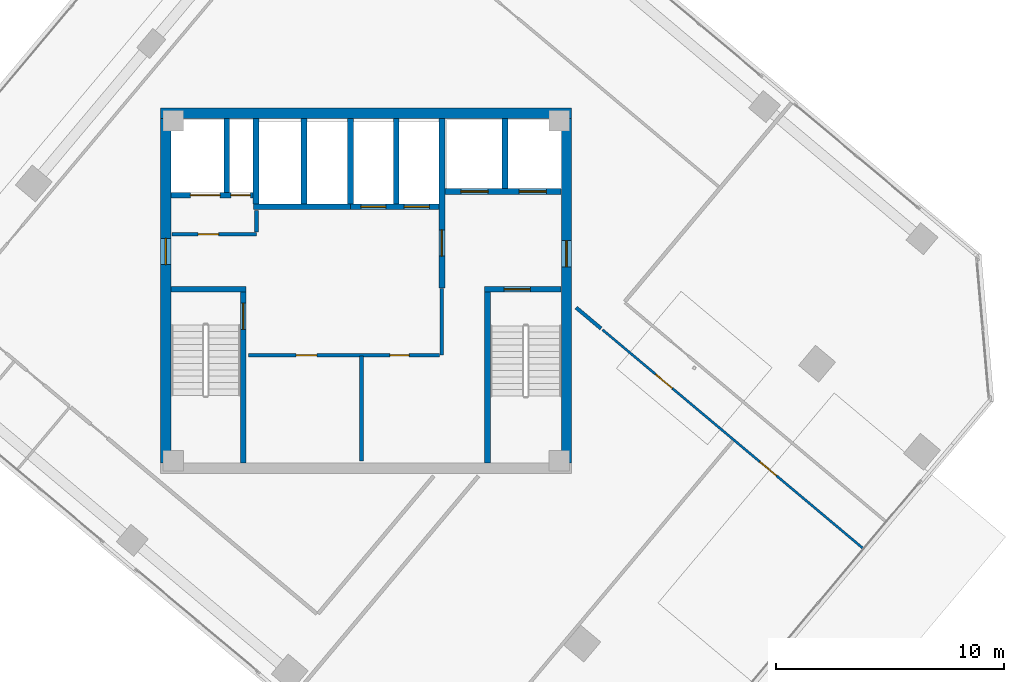
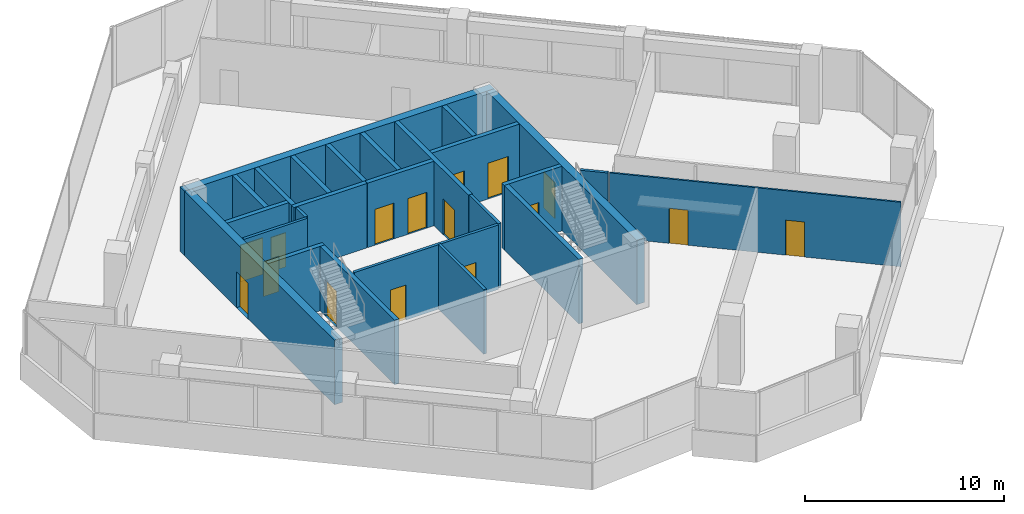
# One storey, part 12 of 17: 25 walls, 16 doors, 16 openings.
"""IFC4 building model written with IfcOpenShell, lengths in metres."""

from ifc_helpers import new_model, si_unit, direction, frame, frame_2d, origin, place, context, subcontext, project, spatial, rectangle, extrude, source, transform, mapped, material, layer, layer_set, type_object, element, fill, save


model = new_model("IFC4")

# Units and contexts
model_context = context("Model", 3, precision=1e-05, world=origin(), true_north=direction((0.0, 1.0)))
body_context = subcontext(model_context, "Body", "Model", "MODEL_VIEW")
ifc_project = project(units=[si_unit("LENGTHUNIT", "METRE"), si_unit("AREAUNIT", "SQUARE_METRE"), si_unit("VOLUMEUNIT", "CUBIC_METRE"), si_unit("PLANEANGLEUNIT", "RADIAN"), si_unit("MASSUNIT", "GRAM", prefix="KILO")], contexts=[model_context])

# Site, building, storey
site_placement = place(None, origin())
site = spatial("IfcSite", under=ifc_project, at=site_placement, CompositionType="ELEMENT")
building_placement = place(site_placement, origin())
building = spatial("IfcBuilding", under=site, at=building_placement, Name="Torre Montelarca", CompositionType="ELEMENT")
storey_placement = place(building_placement, frame((0.0, 0.0, 220.60009765625)))
storey = spatial("IfcBuildingStorey", under=building, at=storey_placement, Name="L49", CompositionType="ELEMENT", Elevation=220.60009765625)

# Wall, opening, door
ifc_material_1 = material(Name="Concrete C40/50", Category="concrete")
ifc_layer_1 = layer(ifc_material_1, 0.25, Name="Concrete C40/50", Category="concrete")
ifc_layer_set_1 = layer_set([ifc_layer_1], Name="Concrete C40/50")
wall_type_1 = type_object("IfcWallType", Name="CW-SHAFT-250", PredefinedType="SHEAR", material=ifc_layer_set_1)
wall_1_placement = place(storey_placement, frame((12.625, 24.4599609375, 0.0), z_axis=(0.0, 0.0, 1.0), x_axis=(0.0, 1.0, 0.0)))
wall_1 = element("IfcWall", 1, at=wall_1_placement, inside=storey, type_object=wall_type_1, Name="L49 Core Shear Wall SH-ST1-E", PredefinedType="SHEAR", context=body_context, shape_type="SweptSolid", body=[
    extrude(rectangle(XDim=7.489990234375, YDim=0.25, at=frame_2d((3.7451171875, 0.0))), origin(), (0.0, 0.0, 1.0), 3.9599609375),
])
opening_1_placement = place(wall_1_placement, frame((5.85009765625, 0.0, 0.0)))
opening_1 = element("IfcOpeningElement", 2, at=opening_1_placement, cuts=wall_1, Name="Opening FD-ST1", PredefinedType="OPENING", context=body_context, shape_type="SweptSolid", body=[
    extrude(rectangle(XDim=1.14990234375, YDim=2.199951171875, at=frame_2d((0.574951171875, 1.10009765625))), frame((0.0, 0.135009765625, 0.0), z_axis=(0.0, -1.0, 0.0), x_axis=(1.0, 0.0, 0.0)), (0.0, 0.0, 1.0), 0.27001953125),
])
ifc_material_2 = material(Name="Galvanized steel fire door", Category="steel")
door_type_1 = type_object("IfcDoorType", Name="DR-STAIR-115", OperationType="NOTDEFINED", PredefinedType="DOOR", material=ifc_material_2)
shared_shape_1 = source(origin(), body_context, "Body", "SweptSolid", [
    extrude(rectangle(XDim=1.14990234375, YDim=2.199951171875, at=frame_2d((0.574951171875, 1.10009765625))), frame((0.0, 0.02490234375, 0.0), z_axis=(0.0, -1.0, 0.0), x_axis=(1.0, 0.0, 0.0)), (0.0, 0.0, 1.0), 0.050048828125),
])
door_1_placement = place(opening_1_placement, origin())
door_1 = element("IfcDoor", 3, at=door_1_placement, inside=storey, type_object=door_type_1, Name="L49 Exit Stair ST1 Fire Door", OperationType="SINGLE_SWING_RIGHT", OverallHeight=2.199951171875, OverallWidth=1.14990234375, PredefinedType="DOOR", context=body_context, shape_type="MappedRepresentation", body=[
    mapped(shared_shape_1, transform((0.0, 0.0, 0.0), scale=1.0)),
])
fill(opening_1, door_1)

# Walls
wall_2_placement = place(storey_placement, frame((9.4599609375, 32.074951171875, 0.0), z_axis=(0.0, 0.0, 1.0), x_axis=(1.0, 0.0, 0.0)))
element("IfcWall", 4, at=wall_2_placement, inside=storey, type_object=wall_type_1, Name="L49 Core Shear Wall SH-ST1-N", PredefinedType="SHEAR", context=body_context, shape_type="SweptSolid", body=[
    extrude(rectangle(XDim=3.2900390625, YDim=0.25, at=frame_2d((1.64501953125, 0.0))), origin(), (0.0, 0.0, 1.0), 3.9599609375),
])
wall_3_placement = place(storey_placement, frame((23.31494140625, 24.4599609375, 0.0), z_axis=(0.0, 0.0, 1.0), x_axis=(0.0, 1.0, 0.0)))
element("IfcWall", 5, at=wall_3_placement, inside=storey, type_object=wall_type_1, Name="L49 Core Shear Wall SH-ST2-W", PredefinedType="SHEAR", context=body_context, shape_type="SweptSolid", body=[
    extrude(rectangle(XDim=7.489990234375, YDim=0.25, at=frame_2d((3.7451171875, 0.0))), origin(), (0.0, 0.0, 1.0), 3.9599609375),
])

# Wall, opening, door
wall_4_placement = place(storey_placement, frame((23.18994140625, 32.074951171875, 0.0), z_axis=(0.0, 0.0, 1.0), x_axis=(1.0, 0.0, 0.0)))
wall_4 = element("IfcWall", 6, at=wall_4_placement, inside=storey, type_object=wall_type_1, Name="L49 Core Shear Wall SH-ST2-N", PredefinedType="SHEAR", context=body_context, shape_type="SweptSolid", body=[
    extrude(rectangle(XDim=3.35009765625, YDim=0.25, at=frame_2d((1.675048828125, 0.0))), origin(), (0.0, 0.0, 1.0), 3.9599609375),
])
opening_2_placement = place(wall_4_placement, frame((0.85009765625, 0.0, 0.0)))
opening_2 = element("IfcOpeningElement", 7, at=opening_2_placement, cuts=wall_4, Name="Opening FD-ST1", PredefinedType="OPENING", context=body_context, shape_type="SweptSolid", body=[
    extrude(rectangle(XDim=1.14990234375, YDim=2.199951171875, at=frame_2d((0.574951171875, 1.10009765625))), frame((0.0, 0.135009765625, 0.0), z_axis=(0.0, -1.0, 0.0), x_axis=(1.0, 0.0, 0.0)), (0.0, 0.0, 1.0), 0.27001953125),
])
door_2_placement = place(opening_2_placement, origin())
door_2 = element("IfcDoor", 8, at=door_2_placement, inside=storey, type_object=door_type_1, Name="L49 Exit Stair ST2 Fire Door", OperationType="SINGLE_SWING_RIGHT", OverallHeight=2.199951171875, OverallWidth=1.14990234375, PredefinedType="DOOR", context=body_context, shape_type="MappedRepresentation", body=[
    mapped(shared_shape_1, transform((0.0, 0.0, 0.0), scale=1.0)),
])
fill(opening_2, door_2)

wall_5_placement = place(storey_placement, frame((21.320068359375, 32.1201171875, 0.0), z_axis=(0.0, 0.0, 1.0), x_axis=(0.0, 1.0, 0.0)))
wall_5 = element("IfcWall", 9, at=wall_5_placement, inside=storey, type_object=wall_type_1, Name="L49 Core Shear Wall SH-FFL-W", PredefinedType="SHEAR", context=body_context, shape_type="SweptSolid", body=[
    extrude(rectangle(XDim=7.419921875, YDim=0.25, at=frame_2d((3.7099609375, 0.0))), origin(), (0.0, 0.0, 1.0), 3.9599609375),
])
opening_3_placement = place(wall_5_placement, frame((1.39990234375, 0.0, 0.0)))
opening_3 = element("IfcOpeningElement", 10, at=opening_3_placement, cuts=wall_5, Name="Opening FD-LB1", PredefinedType="OPENING", context=body_context, shape_type="SweptSolid", body=[
    extrude(rectangle(XDim=1.14990234375, YDim=2.199951171875, at=frame_2d((0.574951171875, 1.10009765625))), frame((0.0, 0.135009765625, 0.0), z_axis=(0.0, -1.0, 0.0), x_axis=(1.0, 0.0, 0.0)), (0.0, 0.0, 1.0), 0.27001953125),
])
ifc_material_3 = material(Name="Acoustic timber-veneered fire door", Category="wood")
door_type_2 = type_object("IfcDoorType", Name="DR-LOBBY-115", OperationType="NOTDEFINED", PredefinedType="DOOR", material=ifc_material_3)
shared_shape_2 = source(origin(), body_context, "Body", "SweptSolid", [
    extrude(rectangle(XDim=1.14990234375, YDim=2.199951171875, at=frame_2d((0.574951171875, 1.10009765625))), frame((0.0, 0.02490234375, 0.0), z_axis=(0.0, -1.0, 0.0), x_axis=(1.0, 0.0, 0.0)), (0.0, 0.0, 1.0), 0.050048828125),
])
door_3_placement = place(opening_3_placement, origin())
door_3 = element("IfcDoor", 11, at=door_3_placement, inside=storey, type_object=door_type_2, Name="L49 Lift Lobby to Firefighting Lobby Smoke Door", OperationType="SINGLE_SWING_LEFT", OverallHeight=2.199951171875, OverallWidth=1.14990234375, PredefinedType="DOOR", context=body_context, shape_type="MappedRepresentation", body=[
    mapped(shared_shape_2, transform((0.0, 0.0, 0.0), scale=1.0)),
])
fill(opening_3, door_3)

# Wall, openings, doors
wall_6_placement = place(storey_placement, frame((9.4599609375, 36.179931640625, 0.0), z_axis=(0.0, 0.0, 1.0), x_axis=(1.0, 0.0, 0.0)))
wall_6 = element("IfcWall", 12, at=wall_6_placement, inside=storey, type_object=wall_type_1, Name="L49 Core Shear Wall SH-SV1-S", PredefinedType="SHEAR", context=body_context, shape_type="SweptSolid", body=[
    extrude(rectangle(XDim=3.7900390625, YDim=0.25, at=frame_2d((1.89501953125, 0.0))), origin(), (0.0, 0.0, 1.0), 3.9599609375),
])
opening_4_placement = place(wall_6_placement, frame((2.6201171875, 0.0, 0.0)))
opening_4 = element("IfcOpeningElement", 13, at=opening_4_placement, cuts=wall_6, Name="Opening FD-085", PredefinedType="OPENING", context=body_context, shape_type="SweptSolid", body=[
    extrude(rectangle(XDim=0.85009765625, YDim=2.10009765625, at=frame_2d((0.425048828125, 1.050048828125))), frame((0.0, 0.135009765625, 0.0), z_axis=(0.0, -1.0, 0.0), x_axis=(1.0, 0.0, 0.0)), (0.0, 0.0, 1.0), 0.27001953125),
])
opening_5_placement = place(wall_6_placement, frame((0.85009765625, 0.0, 0.0)))
opening_5 = element("IfcOpeningElement", 14, at=opening_5_placement, cuts=wall_6, Name="Opening LD-130", PredefinedType="OPENING", context=body_context, shape_type="SweptSolid", body=[
    extrude(rectangle(XDim=1.300048828125, YDim=2.25, at=frame_2d((0.64990234375, 1.125))), frame((0.0, 0.135009765625, 0.0), z_axis=(0.0, -1.0, 0.0), x_axis=(1.0, 0.0, 0.0)), (0.0, 0.0, 1.0), 0.27001953125),
])
ifc_material_4 = material(Name="Steel riser access fire door", Category="steel")
door_type_3 = type_object("IfcDoorType", Name="DR-RISER-085", OperationType="NOTDEFINED", PredefinedType="DOOR", material=ifc_material_4)
shared_shape_3 = source(origin(), body_context, "Body", "SweptSolid", [
    extrude(rectangle(XDim=0.85009765625, YDim=2.10009765625, at=frame_2d((0.425048828125, 1.050048828125))), frame((0.0, 0.02490234375, 0.0), z_axis=(0.0, -1.0, 0.0), x_axis=(1.0, 0.0, 0.0)), (0.0, 0.0, 1.0), 0.050048828125),
])
door_4_placement = place(opening_4_placement, origin())
door_4 = element("IfcDoor", 15, at=door_4_placement, inside=storey, type_object=door_type_3, Name="L49 Electrical Riser Shaft Access Door", OperationType="SINGLE_SWING_RIGHT", OverallHeight=2.10009765625, OverallWidth=0.85009765625, PredefinedType="DOOR", context=body_context, shape_type="MappedRepresentation", body=[
    mapped(shared_shape_3, transform((0.0, 0.0, 0.0), scale=1.0)),
])
fill(opening_4, door_4)
ifc_material_5 = material(Name="Brushed stainless steel AISI 316", Category="steel")
door_type_4 = type_object("IfcDoorType", Name="DR-LIFT-130", OperationType="SLIDING_TO_LEFT", PredefinedType="DOOR", material=ifc_material_5)
shared_shape_4 = source(origin(), body_context, "Body", "SweptSolid", [
    extrude(rectangle(XDim=1.300048828125, YDim=2.25, at=frame_2d((0.64990234375, 1.125))), frame((0.0, 0.02490234375, 0.0), z_axis=(0.0, -1.0, 0.0), x_axis=(1.0, 0.0, 0.0)), (0.0, 0.0, 1.0), 0.050048828125),
])
door_5_placement = place(opening_5_placement, origin())
door_5 = element("IfcDoor", 16, at=door_5_placement, inside=storey, type_object=door_type_4, Name="L49 Lift Landing Sliding Door SV-1", OperationType="SLIDING_TO_LEFT", OverallHeight=2.25, OverallWidth=1.300048828125, PredefinedType="DOOR", context=body_context, shape_type="MappedRepresentation", body=[
    mapped(shared_shape_4, transform((0.0, 0.0, 0.0), scale=1.0)),
])
fill(opening_5, door_5)

# Wall
wall_7_placement = place(storey_placement, frame((11.89990234375, 36.31005859375, 0.0), z_axis=(0.0, 0.0, 1.0), x_axis=(0.0, 1.0, 0.0)))
element("IfcWall", 17, at=wall_7_placement, inside=storey, type_object=wall_type_1, Name="L49 Core Shear Wall SH-SV1-E", PredefinedType="SHEAR", context=body_context, shape_type="SweptSolid", body=[
    extrude(rectangle(XDim=3.22998046875, YDim=0.25, at=frame_2d((1.614990234375, 0.0))), origin(), (0.0, 0.0, 1.0), 3.9599609375),
])

# Wall, openings, doors
wall_8_placement = place(storey_placement, frame((21.449951171875, 36.35009765625, 0.0), z_axis=(0.0, 0.0, 1.0), x_axis=(1.0, 0.0, 0.0)))
wall_8 = element("IfcWall", 18, at=wall_8_placement, inside=storey, type_object=wall_type_1, Name="L49 Core Shear Wall SH-FF-S", PredefinedType="SHEAR", context=body_context, shape_type="SweptSolid", body=[
    extrude(rectangle(XDim=5.090087890625, YDim=0.25, at=frame_2d((2.544921875, 0.0))), origin(), (0.0, 0.0, 1.0), 3.9599609375),
])
opening_6_placement = place(wall_8_placement, frame((0.699951171875, 0.0, 0.0)))
opening_6 = element("IfcOpeningElement", 19, at=opening_6_placement, cuts=wall_8, Name="Opening LD-120", PredefinedType="OPENING", context=body_context, shape_type="SweptSolid", body=[
    extrude(rectangle(XDim=1.199951171875, YDim=2.199951171875, at=frame_2d((0.60009765625, 1.10009765625))), frame((0.0, 0.135009765625, 0.0), z_axis=(0.0, -1.0, 0.0), x_axis=(1.0, 0.0, 0.0)), (0.0, 0.0, 1.0), 0.27001953125),
])
opening_7_placement = place(wall_8_placement, frame((3.25, 0.0, 0.0)))
opening_7 = element("IfcOpeningElement", 20, at=opening_7_placement, cuts=wall_8, Name="Opening LD-120", PredefinedType="OPENING", context=body_context, shape_type="SweptSolid", body=[
    extrude(rectangle(XDim=1.199951171875, YDim=2.199951171875, at=frame_2d((0.60009765625, 1.10009765625))), frame((0.0, 0.135009765625, 0.0), z_axis=(0.0, -1.0, 0.0), x_axis=(1.0, 0.0, 0.0)), (0.0, 0.0, 1.0), 0.27001953125),
])
door_type_5 = type_object("IfcDoorType", Name="DR-LIFT-120", OperationType="SLIDING_TO_RIGHT", PredefinedType="DOOR", material=ifc_material_5)
shared_shape_5 = source(origin(), body_context, "Body", "SweptSolid", [
    extrude(rectangle(XDim=1.199951171875, YDim=2.199951171875, at=frame_2d((0.60009765625, 1.10009765625))), frame((0.0, 0.02490234375, 0.0), z_axis=(0.0, -1.0, 0.0), x_axis=(1.0, 0.0, 0.0)), (0.0, 0.0, 1.0), 0.050048828125),
])
door_6_placement = place(opening_6_placement, origin())
door_6 = element("IfcDoor", 21, at=door_6_placement, inside=storey, type_object=door_type_5, Name="L49 Lift Landing Sliding Door FF-1", OperationType="SLIDING_TO_LEFT", OverallHeight=2.199951171875, OverallWidth=1.199951171875, PredefinedType="DOOR", context=body_context, shape_type="MappedRepresentation", body=[
    mapped(shared_shape_5, transform((0.0, 0.0, 0.0), scale=1.0)),
])
fill(opening_6, door_6)
door_7_placement = place(opening_7_placement, origin())
door_7 = element("IfcDoor", 22, at=door_7_placement, inside=storey, type_object=door_type_5, Name="L49 Lift Landing Sliding Door FF-2", OperationType="SLIDING_TO_RIGHT", OverallHeight=2.199951171875, OverallWidth=1.199951171875, PredefinedType="DOOR", context=body_context, shape_type="MappedRepresentation", body=[
    mapped(shared_shape_5, transform((0.0, 0.0, 0.0), scale=1.0)),
])
fill(opening_7, door_7)

# Walls
wall_9_placement = place(storey_placement, frame((24.080078125, 36.47998046875, 0.0), z_axis=(0.0, 0.0, 1.0), x_axis=(0.0, 1.0, 0.0)))
element("IfcWall", 23, at=wall_9_placement, inside=storey, type_object=wall_type_1, Name="L49 Core Shear Wall SH-FF-M", PredefinedType="SHEAR", context=body_context, shape_type="SweptSolid", body=[
    extrude(rectangle(XDim=3.06005859375, YDim=0.25, at=frame_2d((1.530029296875, 0.0))), origin(), (0.0, 0.0, 1.0), 3.9599609375),
])
wall_10_placement = place(storey_placement, frame((13.06005859375, 35.679931640625, 0.0), z_axis=(0.0, 0.0, 1.0), x_axis=(1.0, 0.0, 0.0)))
element("IfcWall", 24, at=wall_10_placement, inside=storey, type_object=wall_type_1, Name="L49 Core Shear Wall SH-PLM-S", PredefinedType="SHEAR", context=body_context, shape_type="SweptSolid", body=[
    extrude(rectangle(XDim=4.25, YDim=0.25, at=frame_2d((2.125, 0.0))), origin(), (0.0, 0.0, 1.0), 3.9599609375),
])
for number, where, z_axis, x_axis, name in (
    (25, (13.179931640625, 35.81005859375, 0.0), (0.0, 0.0, 1.0), (0.0, 1.0, 0.0), "L49 Core Shear Wall SH-PLM-W"),
    (26, (15.280029296875, 35.81005859375, 0.0), (0.0, 0.0, 1.0), (0.0, 1.0, 0.0), "L49 Core Shear Wall SH-PLM-M"),
):
    element("IfcWall", number, at=place(storey_placement, frame(where, z_axis=z_axis, x_axis=x_axis)), inside=storey, type_object=wall_type_1, Name=name, PredefinedType="SHEAR", context=body_context, shape_type="SweptSolid", body=[
        extrude(rectangle(XDim=3.72998046875, YDim=0.25, at=frame_2d((1.864990234375, 0.0))), origin(), (0.0, 0.0, 1.0), 3.9599609375),
    ])

# Wall, openings, doors
wall_11_placement = place(storey_placement, frame((17.320068359375, 35.679931640625, 0.0), z_axis=(0.0, 0.0, 1.0), x_axis=(1.0, 0.0, 0.0)))
wall_11 = element("IfcWall", 27, at=wall_11_placement, inside=storey, type_object=wall_type_1, Name="L49 Core Shear Wall SH-PLH-S", PredefinedType="SHEAR", context=body_context, shape_type="SweptSolid", body=[
    extrude(rectangle(XDim=3.869873046875, YDim=0.25, at=frame_2d((1.93505859375, 0.0))), origin(), (0.0, 0.0, 1.0), 3.9599609375),
])
opening_8_placement = place(wall_11_placement, frame((0.449951171875, 0.0, 0.0)))
opening_8 = element("IfcOpeningElement", 28, at=opening_8_placement, cuts=wall_11, Name="Opening LD-110", PredefinedType="OPENING", context=body_context, shape_type="SweptSolid", body=[
    extrude(rectangle(XDim=1.10009765625, YDim=2.199951171875, at=frame_2d((0.550048828125, 1.10009765625))), frame((0.0, 0.135009765625, 0.0), z_axis=(0.0, -1.0, 0.0), x_axis=(1.0, 0.0, 0.0)), (0.0, 0.0, 1.0), 0.27001953125),
])
opening_9_placement = place(wall_11_placement, frame((2.35009765625, 0.0, 0.0)))
opening_9 = element("IfcOpeningElement", 29, at=opening_9_placement, cuts=wall_11, Name="Opening LD-110", PredefinedType="OPENING", context=body_context, shape_type="SweptSolid", body=[
    extrude(rectangle(XDim=1.10009765625, YDim=2.199951171875, at=frame_2d((0.550048828125, 1.10009765625))), frame((0.0, 0.135009765625, 0.0), z_axis=(0.0, -1.0, 0.0), x_axis=(1.0, 0.0, 0.0)), (0.0, 0.0, 1.0), 0.27001953125),
])
door_type_6 = type_object("IfcDoorType", Name="DR-LIFT-110", OperationType="SLIDING_TO_LEFT", PredefinedType="DOOR", material=ifc_material_5)
shared_shape_6 = source(origin(), body_context, "Body", "SweptSolid", [
    extrude(rectangle(XDim=1.10009765625, YDim=2.199951171875, at=frame_2d((0.550048828125, 1.10009765625))), frame((0.0, 0.02490234375, 0.0), z_axis=(0.0, -1.0, 0.0), x_axis=(1.0, 0.0, 0.0)), (0.0, 0.0, 1.0), 0.050048828125),
])
door_8_placement = place(opening_8_placement, origin())
door_8 = element("IfcDoor", 30, at=door_8_placement, inside=storey, type_object=door_type_6, Name="L49 Lift Landing Sliding Door PL-H1", OperationType="SLIDING_TO_LEFT", OverallHeight=2.199951171875, OverallWidth=1.10009765625, PredefinedType="DOOR", context=body_context, shape_type="MappedRepresentation", body=[
    mapped(shared_shape_6, transform((0.0, 0.0, 0.0), scale=1.0)),
])
fill(opening_8, door_8)
door_9_placement = place(opening_9_placement, origin())
door_9 = element("IfcDoor", 31, at=door_9_placement, inside=storey, type_object=door_type_6, Name="L49 Lift Landing Sliding Door PL-H2", OperationType="SLIDING_TO_RIGHT", OverallHeight=2.199951171875, OverallWidth=1.10009765625, PredefinedType="DOOR", context=body_context, shape_type="MappedRepresentation", body=[
    mapped(shared_shape_6, transform((0.0, 0.0, 0.0), scale=1.0)),
])
fill(opening_9, door_9)

# Walls
for number, where, z_axis, x_axis, name in (
    (32, (17.320068359375, 35.81005859375, 0.0), (0.0, 0.0, 1.0), (0.0, 1.0, 0.0), "L49 Core Shear Wall SH-PLH-W"),
    (33, (19.320068359375, 35.81005859375, 0.0), (0.0, 0.0, 1.0), (0.0, 1.0, 0.0), "L49 Core Shear Wall SH-PLH-M"),
):
    element("IfcWall", number, at=place(storey_placement, frame(where, z_axis=z_axis, x_axis=x_axis)), inside=storey, type_object=wall_type_1, Name=name, PredefinedType="SHEAR", context=body_context, shape_type="SweptSolid", body=[
        extrude(rectangle(XDim=3.72998046875, YDim=0.25, at=frame_2d((1.864990234375, 0.0))), origin(), (0.0, 0.0, 1.0), 3.9599609375),
    ])

# Wall, opening, door
ifc_material_6 = material(Name="Concrete C55/67", Category="concrete")
ifc_layer_2 = layer(ifc_material_6, 0.449951171875, Name="Concrete C55/67", Category="concrete")
ifc_layer_set_2 = layer_set([ifc_layer_2], Name="Concrete C55/67")
wall_type_2 = type_object("IfcWallType", Name="CW-SHEAR-450", PredefinedType="SHEAR", material=ifc_layer_set_2)
wall_12_placement = place(storey_placement, frame((9.22509765625, 24.449951171875, 0.0), z_axis=(0.0, 0.0, 1.0), x_axis=(0.0, 1.0, 0.0)))
wall_12 = element("IfcWall", 34, at=wall_12_placement, inside=storey, type_object=wall_type_2, Name="L49 Core Shear Wall CW-W", PredefinedType="SHEAR", context=body_context, shape_type="SweptSolid", body=[
    extrude(rectangle(XDim=15.10009765625, YDim=0.449951171875, at=frame_2d((7.550048828125, 0.0))), origin(), (0.0, 0.0, 1.0), 3.9599609375),
])
opening_10_placement = place(wall_12_placement, frame((8.699951171875, 0.0, 0.0)))
opening_10 = element("IfcOpeningElement", 35, at=opening_10_placement, cuts=wall_12, Name="Opening FD-LB1", PredefinedType="OPENING", context=body_context, shape_type="SweptSolid", body=[
    extrude(rectangle(XDim=1.14990234375, YDim=2.199951171875, at=frame_2d((0.574951171875, 1.10009765625))), frame((0.0, 0.23486328125, 0.0), z_axis=(0.0, -1.0, 0.0), x_axis=(1.0, 0.0, 0.0)), (0.0, 0.0, 1.0), 0.469970703125),
])
door_10_placement = place(opening_10_placement, origin())
door_10 = element("IfcDoor", 36, at=door_10_placement, inside=storey, type_object=door_type_2, Name="L49 Passenger Lift Lobby West Corridor Fire Door", OperationType="SINGLE_SWING_RIGHT", OverallHeight=2.199951171875, OverallWidth=1.14990234375, PredefinedType="DOOR", context=body_context, shape_type="MappedRepresentation", body=[
    mapped(shared_shape_2, transform((0.0, 0.0, 0.0), scale=1.0)),
])
fill(opening_10, door_10)

wall_13_placement = place(storey_placement, frame((26.77490234375, 24.449951171875, 0.0), z_axis=(0.0, 0.0, 1.0), x_axis=(0.0, 1.0, 0.0)))
wall_13 = element("IfcWall", 37, at=wall_13_placement, inside=storey, type_object=wall_type_2, Name="L49 Core Shear Wall CW-E", PredefinedType="SHEAR", context=body_context, shape_type="SweptSolid", body=[
    extrude(rectangle(XDim=15.10009765625, YDim=0.449951171875, at=frame_2d((7.550048828125, 0.0))), origin(), (0.0, 0.0, 1.0), 3.9599609375),
])
opening_11_placement = place(wall_13_placement, frame((8.60009765625, 0.0, 0.0)))
opening_11 = element("IfcOpeningElement", 38, at=opening_11_placement, cuts=wall_13, Name="Opening FD-LB1", PredefinedType="OPENING", context=body_context, shape_type="SweptSolid", body=[
    extrude(rectangle(XDim=1.14990234375, YDim=2.199951171875, at=frame_2d((0.574951171875, 1.10009765625))), frame((0.0, 0.23486328125, 0.0), z_axis=(0.0, -1.0, 0.0), x_axis=(1.0, 0.0, 0.0)), (0.0, 0.0, 1.0), 0.469970703125),
])
door_11_placement = place(opening_11_placement, origin())
door_11 = element("IfcDoor", 39, at=door_11_placement, inside=storey, type_object=door_type_2, Name="L49 Firefighting Lift Lobby Corridor Fire Door", OperationType="SINGLE_SWING_RIGHT", OverallHeight=2.199951171875, OverallWidth=1.14990234375, PredefinedType="DOOR", context=body_context, shape_type="MappedRepresentation", body=[
    mapped(shared_shape_2, transform((0.0, 0.0, 0.0), scale=1.0)),
])
fill(opening_11, door_11)

# Wall
wall_14_placement = place(storey_placement, frame((9.0, 39.77490234375, 0.0), z_axis=(0.0, 0.0, 1.0), x_axis=(1.0, 0.0, 0.0)))
element("IfcWall", 40, at=wall_14_placement, inside=storey, type_object=wall_type_2, Name="L49 Core Shear Wall CW-N1", PredefinedType="SHEAR", context=body_context, shape_type="SweptSolid", body=[
    extrude(rectangle(XDim=18.0, YDim=0.449951171875, at=frame_2d((9.0, 0.0))), origin(), (0.0, 0.0, 1.0), 3.9599609375),
])

# Wall, opening, door
ifc_material_7 = material(Name="Gypsum plasterboard on steel stud", Category="steel")
ifc_layer_3 = layer(ifc_material_7, 0.159912109375, Name="Gypsum plasterboard on steel stud", Category="steel")
ifc_layer_set_3 = layer_set([ifc_layer_3], Name="Gypsum plasterboard on steel stud")
wall_type_3 = type_object("IfcWallType", Name="PW-FIRE-160", PredefinedType="PARTITIONING", material=ifc_layer_set_3)
wall_15_placement = place(storey_placement, frame((9.489990234375, 34.47998046875, 0.0), z_axis=(0.0, 0.0, 1.0), x_axis=(1.0, 0.0, 0.0)))
wall_15 = element("IfcWall", 41, at=wall_15_placement, inside=storey, type_object=wall_type_3, Name="L49 Interior Partition CW-L49-SVS", PredefinedType="PARTITIONING", context=body_context, shape_type="SweptSolid", body=[
    extrude(rectangle(XDim=3.699951171875, YDim=0.159912109375, at=frame_2d((1.85009765625, 0.0))), origin(), (0.0, 0.0, 1.0), 3.9599609375),
])
opening_12_placement = place(wall_15_placement, frame((1.14990234375, 0.0, 0.0)))
opening_12 = element("IfcOpeningElement", 42, at=opening_12_placement, cuts=wall_15, Name="Opening FD-090", PredefinedType="OPENING", context=body_context, shape_type="SweptSolid", body=[
    extrude(rectangle(XDim=0.89990234375, YDim=2.14990234375, at=frame_2d((0.449951171875, 1.074951171875))), frame((0.0, 0.08984375, 0.0), z_axis=(0.0, -1.0, 0.0), x_axis=(1.0, 0.0, 0.0)), (0.0, 0.0, 1.0), 0.179931640625),
])
ifc_material_8 = material(Name="Steel service fire door", Category="steel")
door_type_7 = type_object("IfcDoorType", Name="DR-FIRE-090", OperationType="NOTDEFINED", PredefinedType="DOOR", material=ifc_material_8)
shared_shape_7 = source(origin(), body_context, "Body", "SweptSolid", [
    extrude(rectangle(XDim=0.89990234375, YDim=2.14990234375, at=frame_2d((0.449951171875, 1.074951171875))), frame((0.0, 0.02490234375, 0.0), z_axis=(0.0, -1.0, 0.0), x_axis=(1.0, 0.0, 0.0)), (0.0, 0.0, 1.0), 0.050048828125),
])
door_12_placement = place(opening_12_placement, origin())
door_12 = element("IfcDoor", 43, at=door_12_placement, inside=storey, type_object=door_type_7, Name="L49 Interior Door 01", OperationType="SINGLE_SWING_RIGHT", OverallHeight=2.14990234375, OverallWidth=0.89990234375, PredefinedType="DOOR", context=body_context, shape_type="MappedRepresentation", body=[
    mapped(shared_shape_7, transform((0.0, 0.0, 0.0), scale=1.0)),
])
fill(opening_12, door_12)

# Wall
wall_16_placement = place(storey_placement, frame((13.199951171875, 34.570068359375, 0.0), z_axis=(0.0, 0.0, 1.0), x_axis=(0.0, 1.0, 0.0)))
element("IfcWall", 44, at=wall_16_placement, inside=storey, type_object=wall_type_3, Name="L49 Interior Partition CW-L49-SVE", PredefinedType="PARTITIONING", context=body_context, shape_type="SweptSolid", body=[
    extrude(rectangle(XDim=0.93994140625, YDim=0.159912109375, at=frame_2d((0.469970703125, 0.0))), origin(), (0.0, 0.0, 1.0), 3.9599609375),
])

# Wall, openings, doors
wall_17_placement = place(storey_placement, frame((12.840087890625, 29.179931640625, 0.0), z_axis=(0.0, 0.0, 1.0), x_axis=(1.0, 0.0, 0.0)))
wall_17 = element("IfcWall", 45, at=wall_17_placement, inside=storey, type_object=wall_type_3, Name="L49 Interior Partition CW-L49-FRDN", PredefinedType="PARTITIONING", context=body_context, shape_type="SweptSolid", body=[
    extrude(rectangle(XDim=8.369873046875, YDim=0.159912109375, at=frame_2d((4.18505859375, 0.0))), origin(), (0.0, 0.0, 1.0), 3.9599609375),
])
opening_13_placement = place(wall_17_placement, frame((2.10009765625, 0.0, 0.0)))
opening_13 = element("IfcOpeningElement", 46, at=opening_13_placement, cuts=wall_17, Name="Opening FD-090", PredefinedType="OPENING", context=body_context, shape_type="SweptSolid", body=[
    extrude(rectangle(XDim=0.89990234375, YDim=2.14990234375, at=frame_2d((0.449951171875, 1.074951171875))), frame((0.0, 0.08984375, 0.0), z_axis=(0.0, -1.0, 0.0), x_axis=(1.0, 0.0, 0.0)), (0.0, 0.0, 1.0), 0.179931640625),
])
opening_14_placement = place(wall_17_placement, frame((6.199951171875, 0.0, 0.0)))
opening_14 = element("IfcOpeningElement", 47, at=opening_14_placement, cuts=wall_17, Name="Opening FD-085", PredefinedType="OPENING", context=body_context, shape_type="SweptSolid", body=[
    extrude(rectangle(XDim=0.85009765625, YDim=2.10009765625, at=frame_2d((0.425048828125, 1.050048828125))), frame((0.0, 0.08984375, 0.0), z_axis=(0.0, -1.0, 0.0), x_axis=(1.0, 0.0, 0.0)), (0.0, 0.0, 1.0), 0.179931640625),
])
door_13_placement = place(opening_14_placement, origin())
door_13 = element("IfcDoor", 48, at=door_13_placement, inside=storey, type_object=door_type_3, Name="L49 Interior Door 03", OperationType="SINGLE_SWING_LEFT", OverallHeight=2.10009765625, OverallWidth=0.85009765625, PredefinedType="DOOR", context=body_context, shape_type="MappedRepresentation", body=[
    mapped(shared_shape_3, transform((0.0, 0.0, 0.0), scale=1.0)),
])
fill(opening_14, door_13)
door_14_placement = place(opening_13_placement, origin())
door_14 = element("IfcDoor", 49, at=door_14_placement, inside=storey, type_object=door_type_7, Name="L49 Interior Door 02", OperationType="SINGLE_SWING_RIGHT", OverallHeight=2.14990234375, OverallWidth=0.89990234375, PredefinedType="DOOR", context=body_context, shape_type="MappedRepresentation", body=[
    mapped(shared_shape_7, transform((0.0, 0.0, 0.0), scale=1.0)),
])
fill(opening_13, door_14)

# Walls
wall_18_placement = place(storey_placement, frame((17.800048828125, 24.5400390625, 0.0), z_axis=(0.0, 0.0, 1.0), x_axis=(0.0, 1.0, 0.0)))
element("IfcWall", 50, at=wall_18_placement, inside=storey, type_object=wall_type_3, Name="L49 Interior Partition CW-L49-FRD1", PredefinedType="PARTITIONING", context=body_context, shape_type="SweptSolid", body=[
    extrude(rectangle(XDim=4.599853515625, YDim=0.159912109375, at=frame_2d((2.2998046875, 0.0))), origin(), (0.0, 0.0, 1.0), 3.9599609375),
])
wall_19_placement = place(storey_placement, frame((21.320068359375, 29.18994140625, 0.0), z_axis=(0.0, 0.0, 1.0), x_axis=(0.0, 1.0, 0.0)))
element("IfcWall", 51, at=wall_19_placement, inside=storey, type_object=wall_type_3, Name="L49 Interior Partition CW-L49-FRE", PredefinedType="PARTITIONING", context=body_context, shape_type="SweptSolid", body=[
    extrude(rectangle(XDim=2.920166015625, YDim=0.159912109375, at=frame_2d((1.4599609375, 0.0))), origin(), (0.0, 0.0, 1.0), 3.9599609375),
])
wall_20_placement = place(storey_placement, frame((27.2001953125, 31.263671875, 0.0), z_axis=(0.0, 0.0, 1.0), x_axis=(0.766046809659, -0.642784789344, 0.0)))
element("IfcWall", 52, at=wall_20_placement, inside=storey, type_object=wall_type_3, Name="L49 Interior Partition W-L49-SOCCN3", PredefinedType="PARTITIONING", context=body_context, shape_type="SweptSolid", body=[
    extrude(rectangle(XDim=1.420166015625, YDim=0.159912109375, at=frame_2d((0.7099609375, 0.0))), origin(), (0.0, 0.0, 1.0), 3.9599609375),
])

# Wall, openings, doors
ifc_material_9 = material(Name="Acoustic laminated glass partition", Category="glass")
ifc_layer_4 = layer(ifc_material_9, 0.10009765625, Name="Acoustic laminated glass partition", Category="glass")
ifc_layer_set_4 = layer_set([ifc_layer_4], Name="Acoustic laminated glass partition")
wall_type_4 = type_object("IfcWallType", Name="PW-GLAZ-100", PredefinedType="PARTITIONING", material=ifc_layer_set_4)
wall_21_placement = place(storey_placement, frame((28.349365234375, 30.299560546875, 0.0), z_axis=(0.0, 0.0, 1.0), x_axis=(0.766042202636, -0.642790279781, 0.0)))
wall_21 = element("IfcWall", 53, at=wall_21_placement, inside=storey, type_object=wall_type_4, Name="L49 Interior Partition W-L49-SE-N", PredefinedType="PARTITIONING", context=body_context, shape_type="SweptSolid", body=[
    extrude(rectangle(XDim=14.8798828125, YDim=0.10009765625, at=frame_2d((7.43994140625, 0.0))), origin(), (0.0, 0.0, 1.0), 3.9599609375),
])
opening_15_placement = place(wall_21_placement, frame((3.050048828125, 0.0, 0.0)))
opening_15 = element("IfcOpeningElement", 54, at=opening_15_placement, cuts=wall_21, Name="Opening ID-095", PredefinedType="OPENING", context=body_context, shape_type="SweptSolid", body=[
    extrude(rectangle(XDim=0.949951171875, YDim=2.14990234375, at=frame_2d((0.47509765625, 1.074951171875))), frame((0.0, 0.06005859375, 0.0), z_axis=(0.0, -1.0, 0.0), x_axis=(1.0, 0.0, 0.0)), (0.0, 0.0, 1.0), 0.1201171875),
])
opening_16_placement = place(wall_21_placement, frame((9.0, 0.0, 0.0)))
opening_16 = element("IfcOpeningElement", 55, at=opening_16_placement, cuts=wall_21, Name="Opening ID-095", PredefinedType="OPENING", context=body_context, shape_type="SweptSolid", body=[
    extrude(rectangle(XDim=0.949951171875, YDim=2.14990234375, at=frame_2d((0.47509765625, 1.074951171875))), frame((0.0, 0.06005859375, 0.0), z_axis=(0.0, -1.0, 0.0), x_axis=(1.0, 0.0, 0.0)), (0.0, 0.0, 1.0), 0.1201171875),
])
ifc_material_10 = material(Name="Hardwood acoustic timber veneer", Category="wood")
door_type_8 = type_object("IfcDoorType", Name="DR-INT-095", OperationType="NOTDEFINED", PredefinedType="DOOR", material=ifc_material_10)
shared_shape_8 = source(origin(), body_context, "Body", "SweptSolid", [
    extrude(rectangle(XDim=0.949951171875, YDim=2.14990234375, at=frame_2d((0.47509765625, 1.074951171875))), frame((0.0, 0.02490234375, 0.0), z_axis=(0.0, -1.0, 0.0), x_axis=(1.0, 0.0, 0.0)), (0.0, 0.0, 1.0), 0.050048828125),
])
door_15_placement = place(opening_15_placement, origin())
door_15 = element("IfcDoor", 56, at=door_15_placement, inside=storey, type_object=door_type_8, Name="L49 Interior Door 11", OperationType="SINGLE_SWING_LEFT", OverallHeight=2.14990234375, OverallWidth=0.949951171875, PredefinedType="DOOR", context=body_context, shape_type="MappedRepresentation", body=[
    mapped(shared_shape_8, transform((0.0, 0.0, 0.0), scale=1.0)),
])
fill(opening_15, door_15)
door_16_placement = place(opening_16_placement, origin())
door_16 = element("IfcDoor", 57, at=door_16_placement, inside=storey, type_object=door_type_8, Name="L49 Interior Door 12", OperationType="SINGLE_SWING_RIGHT", OverallHeight=2.14990234375, OverallWidth=0.949951171875, PredefinedType="DOOR", context=body_context, shape_type="MappedRepresentation", body=[
    mapped(shared_shape_8, transform((0.0, 0.0, 0.0), scale=1.0)),
])
fill(opening_16, door_16)

save(model, "model.ifc")
